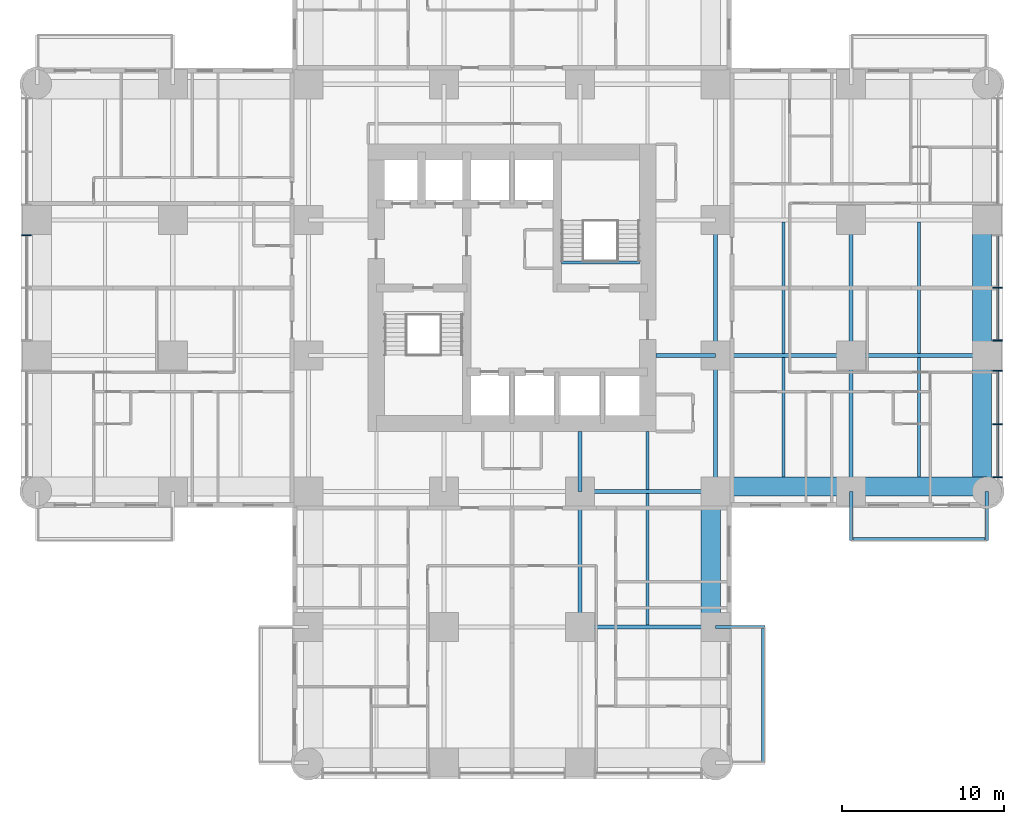
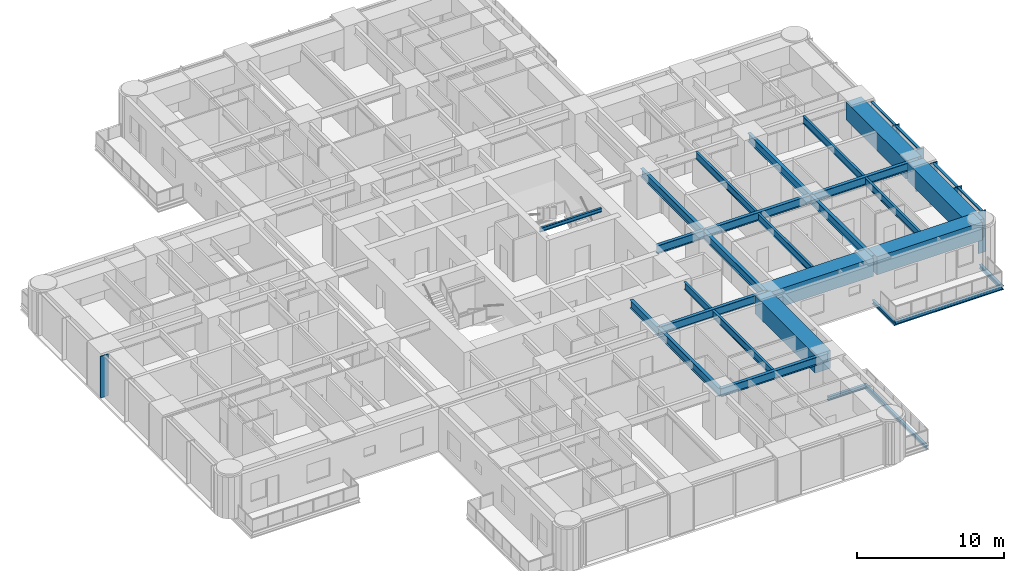
# One storey, part 3 of 17: 28 beams, 10 members, 2 elements without a shape of their own.
"""IFC4 building model written with IfcOpenShell, lengths in metres."""

from ifc_helpers import new_model, si_unit, direction, frame, origin, origin_2d, place, context, subcontext, project, spatial, rectangle, i_section, extrude, material, material_profile, profile_set, type_object, element, aggregate, save


model = new_model("IFC4")

# Units and contexts
model_context = context("Model", 3, precision=1e-05, world=origin(), true_north=direction((0.0, 1.0)))
body_context = subcontext(model_context, "Body", "Model", "MODEL_VIEW")
ifc_project = project(units=[si_unit("LENGTHUNIT", "METRE"), si_unit("AREAUNIT", "SQUARE_METRE"), si_unit("VOLUMEUNIT", "CUBIC_METRE"), si_unit("PLANEANGLEUNIT", "RADIAN"), si_unit("MASSUNIT", "GRAM", prefix="KILO")], contexts=[model_context])

# Site, building, storey
site_placement = place(None, origin())
site = spatial("IfcSite", under=ifc_project, at=site_placement, CompositionType="ELEMENT")
building_placement = place(site_placement, origin())
building = spatial("IfcBuilding", under=site, at=building_placement, Name="Torre Alcanfor", CompositionType="ELEMENT")
storey_placement = place(building_placement, frame((0.0, 0.0, 45.300048828125)))
storey = spatial("IfcBuildingStorey", under=building, at=storey_placement, Name="L10", CompositionType="ELEMENT", Elevation=45.300048828125)

# Beams
ifc_material_1 = material(Name="Steel ASTM A992 Grade 50", Category="steel")
ifc_material_profile_1 = material_profile(ifc_material_1, i_section(OverallWidth=0.205322265625, OverallDepth=0.309814453125, WebThickness=0.00927734375, FlangeThickness=0.016357421875, at=origin_2d()), Name="W12x50")
ifc_profile_set_1 = profile_set([ifc_material_profile_1], Name="Steel ASTM A992 Grade 50")
beam_type_1 = type_object("IfcBeamType", Name="Balcony cantilever beam W12x50", PredefinedType="BEAM", material=ifc_profile_set_1)
for number, where, z_axis, x_axis, name in (
    (1, (50.39990234375, 16.800048828125, -0.35498046875), (0.0, -1.0, 0.0), (1.0, 0.0, 0.0), "Balcony cantilever beam L10-E2 1"),
    (2, (58.800048828125, 16.800048828125, -0.35498046875), (0.0, -1.0, 0.0), (1.0, 0.0, 0.0), "Balcony cantilever beam L10-E2 2"),
    (3, (42.0, 8.39990234375, -0.35498046875), (1.0, 0.0, 0.0), (0.0, 1.0, 0.0), "Balcony cantilever beam L10-S1 1"),
):
    element("IfcBeam", number, at=place(storey_placement, frame(where, z_axis=z_axis, x_axis=x_axis)), inside=storey, type_object=beam_type_1, Name=name, PredefinedType="BEAM", context=body_context, shape_type="SweptSolid", body=[
        extrude(i_section(OverallWidth=0.205322265625, OverallDepth=0.309814453125, WebThickness=0.00927734375, FlangeThickness=0.016357421875, at=origin_2d()), origin(), (0.0, 0.0, 1.0), 3.050048828125),
    ])
ifc_material_2 = material(Name="Steel ASTM A992 Grade 50", Category="steel")
ifc_material_profile_2 = material_profile(ifc_material_2, i_section(OverallWidth=0.203369140625, OverallDepth=0.30224609375, WebThickness=0.007568359375, FlangeThickness=0.01318359375, at=origin_2d()), Name="W12x40")
ifc_profile_set_2 = profile_set([ifc_material_profile_2], Name="Steel ASTM A992 Grade 50")
beam_type_2 = type_object("IfcBeamType", Name="Balcony edge trimmer W12x40", PredefinedType="BEAM", material=ifc_profile_set_2)
beam_1_placement = place(storey_placement, frame((50.39990234375, 13.851806640625, -0.35107421875), z_axis=(1.0, 0.0, 0.0), x_axis=(0.0, 1.0, 0.0)))
element("IfcBeam", 4, at=beam_1_placement, inside=storey, type_object=beam_type_2, Name="Balcony edge trimmer L10-E2", PredefinedType="BEAM", context=body_context, shape_type="SweptSolid", body=[
    extrude(i_section(OverallWidth=0.203369140625, OverallDepth=0.30224609375, WebThickness=0.007568359375, FlangeThickness=0.01318359375, at=origin_2d()), origin(), (0.0, 0.0, 1.0), 8.400146484375),
])
beam_2_placement = place(storey_placement, frame((44.9482421875, 8.39990234375, -0.35107421875), z_axis=(0.0, -1.0, 0.0), x_axis=(1.0, 0.0, 0.0)))
element("IfcBeam", 5, at=beam_2_placement, inside=storey, type_object=beam_type_2, Name="Balcony edge trimmer L10-S1", PredefinedType="BEAM", context=body_context, shape_type="SweptSolid", body=[
    extrude(i_section(OverallWidth=0.203369140625, OverallDepth=0.30224609375, WebThickness=0.007568359375, FlangeThickness=0.01318359375, at=origin_2d()), origin(), (0.0, 0.0, 1.0), 8.39990234375),
])

# Curtain wall, member
ifc_material_3 = material(Name="Aluminium and glass", Category="aluminium")
curtain_wall_type = type_object("IfcCurtainWallType", Name="CW-A unitised apartment glazing with vertical FIN", PredefinedType="NOTDEFINED", material=ifc_material_3)
curtain_wall_1_placement = place(storey_placement, origin())
curtain_wall_1 = element("IfcCurtainWall", 6, at=curtain_wall_1_placement, inside=storey, type_object=curtain_wall_type, Name="Curtain wall CW-A L10 2", PredefinedType="NOTDEFINED")
ifc_material_4 = material(Name="Bronze anodised aluminium", Category="aluminium")
ifc_material_profile_3 = material_profile(ifc_material_4, rectangle(XDim=0.60009765625, YDim=0.06494140625, at=origin_2d()), Name="CW-A mullion 65x600")
ifc_profile_set_3 = profile_set([ifc_material_profile_3], Name="Bronze anodised aluminium")
member_type_1 = type_object("IfcMemberType", Name="CW-A mullion with vertical FIN 65x600", PredefinedType="MULLION", material=ifc_profile_set_3)
member_1_placement = place(storey_placement, frame((-0.64990234375, 32.66259765625, 0.0), z_axis=(0.0, 0.0, 1.0), x_axis=(1.0, 0.0, 0.0)))
member_1 = element("IfcMember", 7, at=member_1_placement, type_object=member_type_1, Name="CW-A mullion 2.1", PredefinedType="MULLION", context=body_context, shape_type="SweptSolid", body=[
    extrude(rectangle(XDim=0.60009765625, YDim=0.06494140625, at=origin_2d()), origin(), (0.0, 0.0, 1.0), 3.449951171875),
])
aggregate(curtain_wall_1, [member_1])

# Curtain wall, members
curtain_wall_2_placement = place(storey_placement, origin())
curtain_wall_2 = element("IfcCurtainWall", 8, at=curtain_wall_2_placement, inside=storey, type_object=curtain_wall_type, Name="Curtain wall CW-A L10 8", PredefinedType="NOTDEFINED")
member_2_placement = place(storey_placement, frame((59.449951171875, 17.6669921875, 0.0), z_axis=(0.0, 0.0, 1.0), x_axis=(-1.0, 0.0, 0.0)))
member_2 = element("IfcMember", 9, at=member_2_placement, type_object=member_type_1, Name="CW-A mullion 1.1", PredefinedType="MULLION", context=body_context, shape_type="SweptSolid", body=[
    extrude(rectangle(XDim=0.60009765625, YDim=0.06494140625, at=origin_2d()), origin(), (0.0, 0.0, 1.0), 3.449951171875),
])
member_3_placement = place(storey_placement, frame((59.449951171875, 20.96484375, 0.0), z_axis=(0.0, 0.0, 1.0), x_axis=(-1.0, 0.0, 0.0)))
member_3 = element("IfcMember", 10, at=member_3_placement, type_object=member_type_1, Name="CW-A mullion 1.2", PredefinedType="MULLION", context=body_context, shape_type="SweptSolid", body=[
    extrude(rectangle(XDim=0.60009765625, YDim=0.06494140625, at=origin_2d()), origin(), (0.0, 0.0, 1.0), 3.449951171875),
])
member_4_placement = place(storey_placement, frame((59.449951171875, 24.262451171875, 0.0), z_axis=(0.0, 0.0, 1.0), x_axis=(-1.0, 0.0, 0.0)))
member_4 = element("IfcMember", 11, at=member_4_placement, type_object=member_type_1, Name="CW-A mullion 1.3", PredefinedType="MULLION", context=body_context, shape_type="SweptSolid", body=[
    extrude(rectangle(XDim=0.60009765625, YDim=0.06494140625, at=origin_2d()), origin(), (0.0, 0.0, 1.0), 3.449951171875),
])
member_5_placement = place(storey_placement, frame((59.449951171875, 26.137451171875, 0.0), z_axis=(0.0, 0.0, 1.0), x_axis=(-1.0, 0.0, 0.0)))
member_5 = element("IfcMember", 12, at=member_5_placement, type_object=member_type_1, Name="CW-A mullion 2.1", PredefinedType="MULLION", context=body_context, shape_type="SweptSolid", body=[
    extrude(rectangle(XDim=0.60009765625, YDim=0.06494140625, at=origin_2d()), origin(), (0.0, 0.0, 1.0), 3.449951171875),
])
member_6_placement = place(storey_placement, frame((59.449951171875, 29.39990234375, 0.0), z_axis=(0.0, 0.0, 1.0), x_axis=(-1.0, 0.0, 0.0)))
member_6 = element("IfcMember", 13, at=member_6_placement, type_object=member_type_1, Name="CW-A mullion 2.2", PredefinedType="MULLION", context=body_context, shape_type="SweptSolid", body=[
    extrude(rectangle(XDim=0.60009765625, YDim=0.06494140625, at=origin_2d()), origin(), (0.0, 0.0, 1.0), 3.449951171875),
])
ifc_material_5 = material(Name="Extruded aluminium", Category="aluminium")
ifc_material_profile_4 = material_profile(ifc_material_5, rectangle(XDim=0.199951171875, YDim=0.06494140625, at=origin_2d()), Name="CW-A transom 200x65")
ifc_profile_set_4 = profile_set([ifc_material_profile_4], Name="Extruded aluminium")
member_type_2 = type_object("IfcMemberType", Name="CW-A transom 65x200", PredefinedType="USERDEFINED", material=ifc_profile_set_4)
member_7_placement = place(storey_placement, frame((59.449951171875, 17.699462890625, 3.41748046875), z_axis=(0.0, 1.0, 0.0), x_axis=(-1.0, 0.0, 0.0)))
member_7 = element("IfcMember", 14, at=member_7_placement, type_object=member_type_2, Name="CW-A transom 1.1.2", ObjectType="TRANSOM", PredefinedType="USERDEFINED", context=body_context, shape_type="SweptSolid", body=[
    extrude(rectangle(XDim=0.199951171875, YDim=0.06494140625, at=origin_2d()), origin(), (0.0, 0.0, 1.0), 3.232666015625),
])
member_8_placement = place(storey_placement, frame((59.449951171875, 20.997314453125, 3.41748046875), z_axis=(0.0, 1.0, 0.0), x_axis=(-1.0, 0.0, 0.0)))
member_8 = element("IfcMember", 15, at=member_8_placement, type_object=member_type_2, Name="CW-A transom 1.2.2", ObjectType="TRANSOM", PredefinedType="USERDEFINED", context=body_context, shape_type="SweptSolid", body=[
    extrude(rectangle(XDim=0.199951171875, YDim=0.06494140625, at=origin_2d()), origin(), (0.0, 0.0, 1.0), 3.232666015625),
])
member_9_placement = place(storey_placement, frame((59.449951171875, 26.169921875, 3.41748046875), z_axis=(0.0, 1.0, 0.0), x_axis=(-1.0, 0.0, 0.0)))
member_9 = element("IfcMember", 16, at=member_9_placement, type_object=member_type_2, Name="CW-A transom 2.1.2", ObjectType="TRANSOM", PredefinedType="USERDEFINED", context=body_context, shape_type="SweptSolid", body=[
    extrude(rectangle(XDim=0.199951171875, YDim=0.06494140625, at=origin_2d()), origin(), (0.0, 0.0, 1.0), 3.197509765625),
])
member_10_placement = place(storey_placement, frame((59.449951171875, 29.4326171875, 3.41748046875), z_axis=(0.0, 1.0, 0.0), x_axis=(-1.0, 0.0, 0.0)))
member_10 = element("IfcMember", 17, at=member_10_placement, type_object=member_type_2, Name="CW-A transom 2.2.2", ObjectType="TRANSOM", PredefinedType="USERDEFINED", context=body_context, shape_type="SweptSolid", body=[
    extrude(rectangle(XDim=0.199951171875, YDim=0.06494140625, at=origin_2d()), origin(), (0.0, 0.0, 1.0), 3.197265625),
])
aggregate(curtain_wall_2, [member_2, member_3, member_4, member_7, member_8, member_5, member_6, member_9, member_10])

# Beams
ifc_material_6 = material(Name="Steel ASTM A992 Grade 50", Category="steel")
ifc_material_profile_5 = material_profile(ifc_material_6, i_section(OverallWidth=0.25390625, OverallDepth=0.683349609375, WebThickness=0.012451171875, FlangeThickness=0.01904296875, at=origin_2d()), Name="W27x94")
ifc_profile_set_5 = profile_set([ifc_material_profile_5], Name="Steel ASTM A992 Grade 50")
beam_type_3 = type_object("IfcBeamType", Name="Girder W27x94", PredefinedType="BEAM", material=ifc_profile_set_5)
for number, where, z_axis, x_axis, name in (
    (18, (33.60009765625, 8.39990234375, 3.1083984375), (1.0, 0.0, 0.0), (0.0, 1.0, 0.0), "Beam 5D-6D under L11"),
    (19, (33.60009765625, 16.800048828125, 3.1083984375), (1.0, 0.0, 0.0), (0.0, 1.0, 0.0), "Beam 5E-6E under L11"),
    (20, (42.0, 25.199951171875, 3.1083984375), (1.0, 0.0, 0.0), (0.0, 1.0, 0.0), "Beam 6F-7F under L11"),
):
    element("IfcBeam", number, at=place(storey_placement, frame(where, z_axis=z_axis, x_axis=x_axis)), inside=storey, type_object=beam_type_3, Name=name, PredefinedType="BEAM", context=body_context, shape_type="SweptSolid", body=[
        extrude(i_section(OverallWidth=0.25390625, OverallDepth=0.683349609375, WebThickness=0.012451171875, FlangeThickness=0.01904296875, at=origin_2d()), origin(), (0.0, 0.0, 1.0), 8.39990234375),
    ])
for number, where, z_axis, x_axis, name in (
    (21, (50.39990234375, 25.199951171875, 3.1083984375), (1.0, 0.0, 0.0), (0.0, 1.0, 0.0), "Beam 7F-8F under L11"),
    (22, (33.60009765625, 8.39990234375, 3.1083984375), (0.0, 1.0, 0.0), (-1.0, 0.0, 0.0), "Beam 5D-5E under L11"),
):
    element("IfcBeam", number, at=place(storey_placement, frame(where, z_axis=z_axis, x_axis=x_axis)), inside=storey, type_object=beam_type_3, Name=name, PredefinedType="BEAM", context=body_context, shape_type="SweptSolid", body=[
        extrude(i_section(OverallWidth=0.25390625, OverallDepth=0.683349609375, WebThickness=0.012451171875, FlangeThickness=0.01904296875, at=origin_2d()), origin(), (0.0, 0.0, 1.0), 8.400146484375),
    ])
beam_3_placement = place(storey_placement, frame((42.0, 16.800048828125, 3.1083984375), z_axis=(0.0, 1.0, 0.0), x_axis=(-1.0, 0.0, 0.0)))
element("IfcBeam", 23, at=beam_3_placement, inside=storey, type_object=beam_type_3, Name="Beam 6E-6F under L11", PredefinedType="BEAM", context=body_context, shape_type="SweptSolid", body=[
    extrude(i_section(OverallWidth=0.25390625, OverallDepth=0.683349609375, WebThickness=0.012451171875, FlangeThickness=0.01904296875, at=origin_2d()), origin(), (0.0, 0.0, 1.0), 8.39990234375),
])
beam_4_placement = place(storey_placement, frame((42.0, 25.199951171875, 3.1083984375), z_axis=(0.0, 1.0, 0.0), x_axis=(-1.0, 0.0, 0.0)))
element("IfcBeam", 24, at=beam_4_placement, inside=storey, type_object=beam_type_3, Name="Beam 6F-6G under L11", PredefinedType="BEAM", context=body_context, shape_type="SweptSolid", body=[
    extrude(i_section(OverallWidth=0.25390625, OverallDepth=0.683349609375, WebThickness=0.012451171875, FlangeThickness=0.01904296875, at=origin_2d()), origin(), (0.0, 0.0, 1.0), 8.400146484375),
])
beam_5_placement = place(storey_placement, frame((50.39990234375, 16.800048828125, 3.1083984375), z_axis=(0.0, 1.0, 0.0), x_axis=(-1.0, 0.0, 0.0)))
element("IfcBeam", 25, at=beam_5_placement, inside=storey, type_object=beam_type_3, Name="Beam 7E-7F under L11", PredefinedType="BEAM", context=body_context, shape_type="SweptSolid", body=[
    extrude(i_section(OverallWidth=0.25390625, OverallDepth=0.683349609375, WebThickness=0.012451171875, FlangeThickness=0.01904296875, at=origin_2d()), origin(), (0.0, 0.0, 1.0), 8.39990234375),
])
beam_6_placement = place(storey_placement, frame((50.39990234375, 25.199951171875, 3.1083984375), z_axis=(0.0, 1.0, 0.0), x_axis=(-1.0, 0.0, 0.0)))
element("IfcBeam", 26, at=beam_6_placement, inside=storey, type_object=beam_type_3, Name="Beam 7F-7G under L11", PredefinedType="BEAM", context=body_context, shape_type="SweptSolid", body=[
    extrude(i_section(OverallWidth=0.25390625, OverallDepth=0.683349609375, WebThickness=0.012451171875, FlangeThickness=0.01904296875, at=origin_2d()), origin(), (0.0, 0.0, 1.0), 8.400146484375),
])
ifc_material_7 = material(Name="Steel ASTM A992 Grade 50", Category="steel")
ifc_material_profile_6 = material_profile(ifc_material_7, i_section(OverallWidth=0.25390625, OverallDepth=0.683349609375, WebThickness=0.012451171875, FlangeThickness=0.01904296875, at=origin_2d()), Name="W27x94")
ifc_profile_set_6 = profile_set([ifc_material_profile_6], Name="Steel ASTM A992 Grade 50")
beam_type_4 = type_object("IfcBeamType", Name="Girder, part bay W27x94", PredefinedType="BEAM", material=ifc_profile_set_6)
for number, where, z_axis, x_axis, name in (
    (27, (33.60009765625, 16.800048828125, 3.1083984375), (0.0, 1.0, 0.0), (-1.0, 0.0, 0.0), "Beam 5E-520_5 under L11"),
    (28, (42.0, 25.199951171875, 3.1083984375), (-1.0, 0.0, 0.0), (0.0, -1.0, 0.0), "Beam 6F-38_3F under L11"),
):
    element("IfcBeam", number, at=place(storey_placement, frame(where, z_axis=z_axis, x_axis=x_axis)), inside=storey, type_object=beam_type_4, Name=name, PredefinedType="BEAM", context=body_context, shape_type="SweptSolid", body=[
        extrude(i_section(OverallWidth=0.25390625, OverallDepth=0.683349609375, WebThickness=0.012451171875, FlangeThickness=0.01904296875, at=origin_2d()), origin(), (0.0, 0.0, 1.0), 3.699951171875),
    ])
ifc_material_8 = material(Name="Concrete f'c 70 MPa", Category="concrete")
ifc_material_profile_7 = material_profile(ifc_material_8, rectangle(XDim=1.199951171875, YDim=1.5, at=origin_2d()), Name="1200x1500")
ifc_profile_set_7 = profile_set([ifc_material_profile_7], Name="Concrete f'c 70 MPa")
beam_type_5 = type_object("IfcBeamType", Name="RC perimeter beam 1200x1500", PredefinedType="BEAM", material=ifc_profile_set_7)
beam_7_placement = place(storey_placement, frame((42.126953125, 17.10009765625, 2.699951171875), z_axis=(1.0, 0.0, 0.0), x_axis=(0.0, 1.0, 0.0)))
element("IfcBeam", 29, at=beam_7_placement, inside=storey, type_object=beam_type_5, Name="Beam 6E-7E under L11", PredefinedType="BEAM", context=body_context, shape_type="SweptSolid", body=[
    extrude(rectangle(XDim=1.199951171875, YDim=1.5, at=origin_2d()), origin(), (0.0, 0.0, 1.0), 8.14599609375),
])
beam_8_placement = place(storey_placement, frame((50.527099609375, 17.10009765625, 2.699951171875), z_axis=(1.0, 0.0, 0.0), x_axis=(0.0, 1.0, 0.0)))
element("IfcBeam", 30, at=beam_8_placement, inside=storey, type_object=beam_type_5, Name="Beam 7E-8E under L11", PredefinedType="BEAM", context=body_context, shape_type="SweptSolid", body=[
    extrude(rectangle(XDim=1.199951171875, YDim=1.5, at=origin_2d()), origin(), (0.0, 0.0, 1.0), 8.27294921875),
])
beam_9_placement = place(storey_placement, frame((41.699951171875, 8.527099609375, 2.699951171875), z_axis=(0.0, 1.0, 0.0), x_axis=(-1.0, 0.0, 0.0)))
element("IfcBeam", 31, at=beam_9_placement, inside=storey, type_object=beam_type_5, Name="Beam 6D-6E under L11", PredefinedType="BEAM", context=body_context, shape_type="SweptSolid", body=[
    extrude(rectangle(XDim=1.199951171875, YDim=1.5, at=origin_2d()), origin(), (0.0, 0.0, 1.0), 8.14599609375),
])
beam_10_placement = place(storey_placement, frame((58.5, 16.800048828125, 2.699951171875), z_axis=(0.0, 1.0, 0.0), x_axis=(-1.0, 0.0, 0.0)))
element("IfcBeam", 32, at=beam_10_placement, inside=storey, type_object=beam_type_5, Name="Beam 8E-8F under L11", PredefinedType="BEAM", context=body_context, shape_type="SweptSolid", body=[
    extrude(rectangle(XDim=1.199951171875, YDim=1.5, at=origin_2d()), origin(), (0.0, 0.0, 1.0), 8.27294921875),
])
beam_11_placement = place(storey_placement, frame((58.5, 25.326904296875, 2.699951171875), z_axis=(0.0, 1.0, 0.0), x_axis=(-1.0, 0.0, 0.0)))
element("IfcBeam", 33, at=beam_11_placement, inside=storey, type_object=beam_type_5, Name="Beam 8F-8G under L11", PredefinedType="BEAM", context=body_context, shape_type="SweptSolid", body=[
    extrude(rectangle(XDim=1.199951171875, YDim=1.5, at=origin_2d()), origin(), (0.0, 0.0, 1.0), 8.14599609375),
])
ifc_material_9 = material(Name="Steel ASTM A992 Grade 50", Category="steel")
ifc_material_profile_8 = material_profile(ifc_material_9, i_section(OverallWidth=0.1787109375, OverallDepth=0.60205078125, WebThickness=0.010986328125, FlangeThickness=0.014892578125, at=origin_2d()), Name="W24x62")
ifc_profile_set_8 = profile_set([ifc_material_profile_8], Name="Steel ASTM A992 Grade 50")
beam_type_6 = type_object("IfcBeamType", Name="Secondary beam W24x62", PredefinedType="BEAM", material=ifc_profile_set_8)
beam_12_placement = place(storey_placement, frame((37.800048828125, 8.527099609375, 3.14892578125), z_axis=(0.0, 1.0, 0.0), x_axis=(-1.0, 0.0, 0.0)))
element("IfcBeam", 34, at=beam_12_placement, inside=storey, type_object=beam_type_6, Name="Beam 37_8D-37_8E under L11", PredefinedType="BEAM", context=body_context, shape_type="SweptSolid", body=[
    extrude(i_section(OverallWidth=0.1787109375, OverallDepth=0.60205078125, WebThickness=0.010986328125, FlangeThickness=0.014892578125, at=origin_2d()), origin(), (0.0, 0.0, 1.0), 8.14599609375),
])
beam_13_placement = place(storey_placement, frame((46.199951171875, 17.699951171875, 3.14892578125), z_axis=(0.0, 1.0, 0.0), x_axis=(-1.0, 0.0, 0.0)))
element("IfcBeam", 35, at=beam_13_placement, inside=storey, type_object=beam_type_6, Name="Beam 46_2E-46_2F under L11", PredefinedType="BEAM", context=body_context, shape_type="SweptSolid", body=[
    extrude(i_section(OverallWidth=0.1787109375, OverallDepth=0.60205078125, WebThickness=0.010986328125, FlangeThickness=0.014892578125, at=origin_2d()), origin(), (0.0, 0.0, 1.0), 7.373046875),
])
beam_14_placement = place(storey_placement, frame((46.199951171875, 25.326904296875, 3.14892578125), z_axis=(0.0, 1.0, 0.0), x_axis=(-1.0, 0.0, 0.0)))
element("IfcBeam", 36, at=beam_14_placement, inside=storey, type_object=beam_type_6, Name="Beam 46_2F-46_2G under L11", PredefinedType="BEAM", context=body_context, shape_type="SweptSolid", body=[
    extrude(i_section(OverallWidth=0.1787109375, OverallDepth=0.60205078125, WebThickness=0.010986328125, FlangeThickness=0.014892578125, at=origin_2d()), origin(), (0.0, 0.0, 1.0), 8.14599609375),
])
beam_15_placement = place(storey_placement, frame((54.60009765625, 17.699951171875, 3.14892578125), z_axis=(0.0, 1.0, 0.0), x_axis=(-1.0, 0.0, 0.0)))
element("IfcBeam", 37, at=beam_15_placement, inside=storey, type_object=beam_type_6, Name="Beam 54_6E-54_6F under L11", PredefinedType="BEAM", context=body_context, shape_type="SweptSolid", body=[
    extrude(i_section(OverallWidth=0.1787109375, OverallDepth=0.60205078125, WebThickness=0.010986328125, FlangeThickness=0.014892578125, at=origin_2d()), origin(), (0.0, 0.0, 1.0), 7.373046875),
])
beam_16_placement = place(storey_placement, frame((54.60009765625, 25.326904296875, 3.14892578125), z_axis=(0.0, 1.0, 0.0), x_axis=(-1.0, 0.0, 0.0)))
element("IfcBeam", 38, at=beam_16_placement, inside=storey, type_object=beam_type_6, Name="Beam 54_6F-54_6G under L11", PredefinedType="BEAM", context=body_context, shape_type="SweptSolid", body=[
    extrude(i_section(OverallWidth=0.1787109375, OverallDepth=0.60205078125, WebThickness=0.010986328125, FlangeThickness=0.014892578125, at=origin_2d()), origin(), (0.0, 0.0, 1.0), 8.14599609375),
])
ifc_material_10 = material(Name="Steel ASTM A992 Grade 50", Category="steel")
ifc_material_profile_9 = material_profile(ifc_material_10, i_section(OverallWidth=0.1787109375, OverallDepth=0.60205078125, WebThickness=0.010986328125, FlangeThickness=0.014892578125, at=origin_2d()), Name="W24x62")
ifc_profile_set_9 = profile_set([ifc_material_profile_9], Name="Steel ASTM A992 Grade 50")
beam_type_7 = type_object("IfcBeamType", Name="Secondary beam, part bay W24x62", PredefinedType="BEAM", material=ifc_profile_set_9)
beam_17_placement = place(storey_placement, frame((37.800048828125, 16.927001953125, 3.14892578125), z_axis=(0.0, 1.0, 0.0), x_axis=(-1.0, 0.0, 0.0)))
element("IfcBeam", 39, at=beam_17_placement, inside=storey, type_object=beam_type_7, Name="Beam 37_8E-37_820_5 under L11", PredefinedType="BEAM", context=body_context, shape_type="SweptSolid", body=[
    extrude(i_section(OverallWidth=0.1787109375, OverallDepth=0.60205078125, WebThickness=0.010986328125, FlangeThickness=0.014892578125, at=origin_2d()), origin(), (0.0, 0.0, 1.0), 3.572998046875),
])
ifc_material_11 = material(Name="Steel ASTM A992 Grade 50", Category="steel")
ifc_material_profile_10 = material_profile(ifc_material_11, i_section(OverallWidth=0.164794921875, OverallDepth=0.309814453125, WebThickness=0.005859375, FlangeThickness=0.009765625, at=origin_2d()), Name="W12x26")
ifc_profile_set_10 = profile_set([ifc_material_profile_10], Name="Steel ASTM A992 Grade 50")
beam_type_8 = type_object("IfcBeamType", Name="Stair landing beam W12x26", PredefinedType="BEAM", material=ifc_profile_set_10)
beam_18_placement = place(storey_placement, frame((32.449951171875, 30.962646484375, 3.2451171875), z_axis=(1.0, 0.0, 0.0), x_axis=(0.0, 1.0, 0.0)))
element("IfcBeam", 40, at=beam_18_placement, inside=storey, type_object=beam_type_8, Name="Landing trimmer S2 L11", PredefinedType="BEAM", context=body_context, shape_type="SweptSolid", body=[
    extrude(i_section(OverallWidth=0.164794921875, OverallDepth=0.309814453125, WebThickness=0.005859375, FlangeThickness=0.009765625, at=origin_2d()), origin(), (0.0, 0.0, 1.0), 4.85009765625),
])

save(model, "model.ifc")
